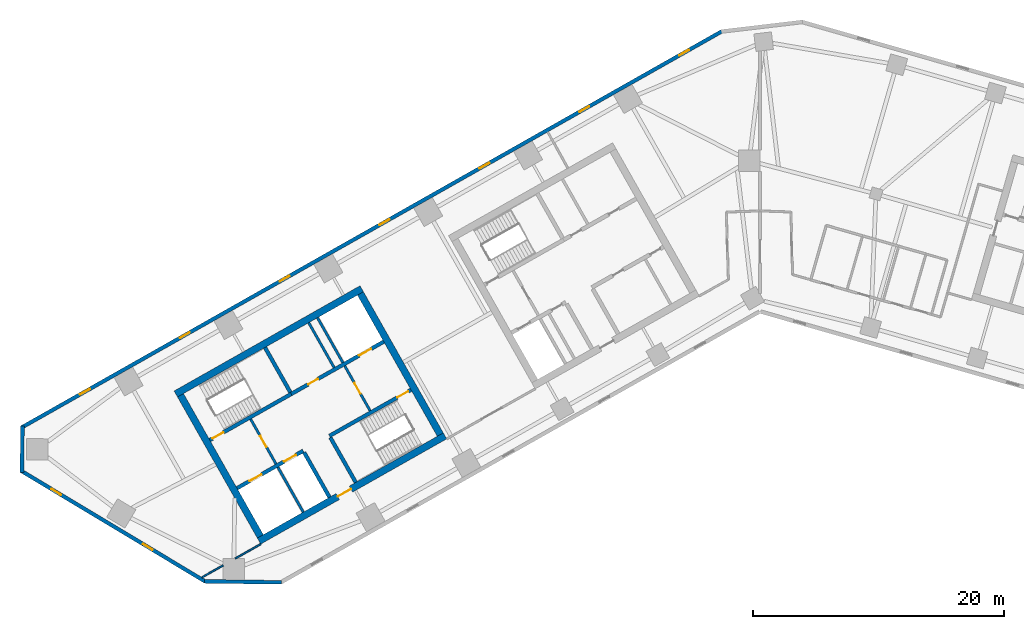
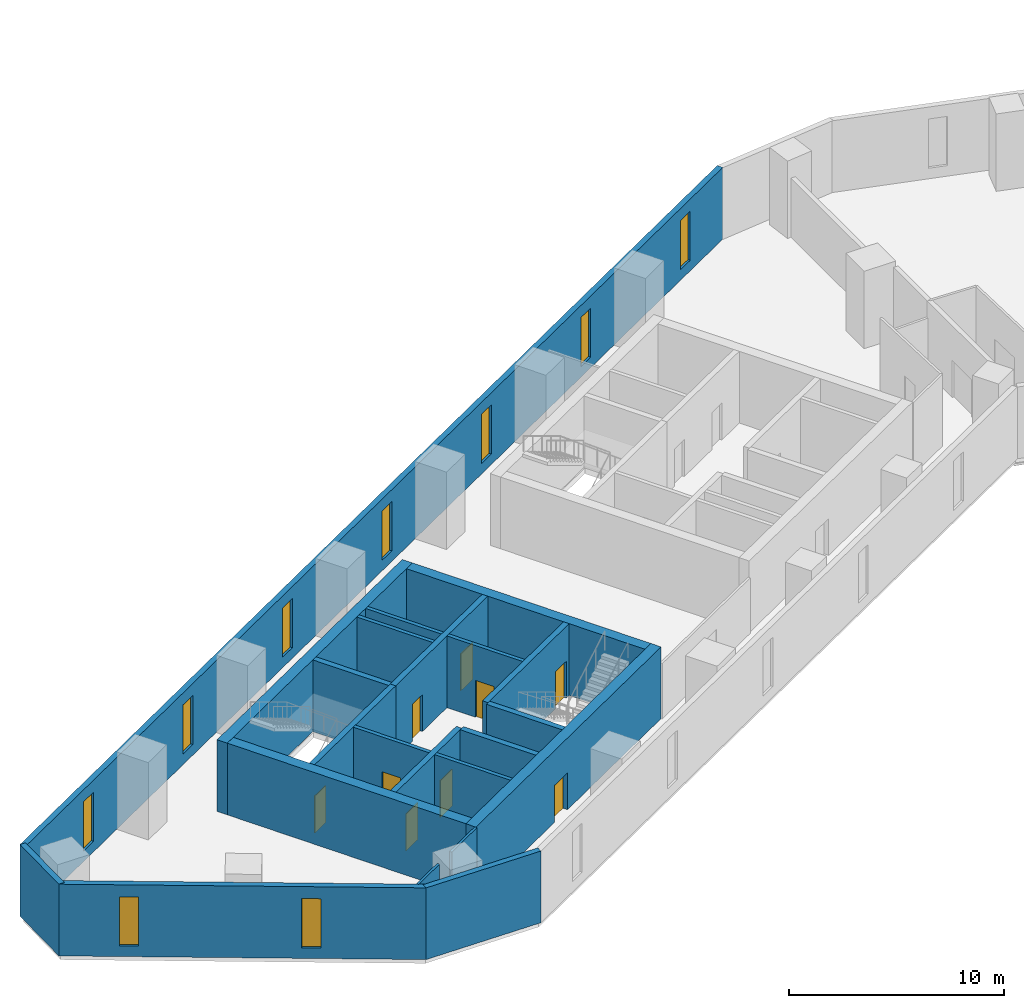
# One storey, part 3 of 10: 22 walls, 9 doors, 9 windows, 18 openings.
"""IFC4 building model written with IfcOpenShell, lengths in metres."""

from ifc_helpers import new_model, si_unit, direction, frame, frame_2d, origin, place, context, subcontext, project, spatial, rectangle, extrude, material, layer, layer_set, type_object, element, fill, save


model = new_model("IFC4")

# Units and contexts
model_context = context("Model", 3, precision=1e-05, world=origin(), true_north=direction((0.0, 1.0)))
body_context = subcontext(model_context, "Body", "Model", "MODEL_VIEW")
ifc_project = project(units=[si_unit("LENGTHUNIT", "METRE"), si_unit("AREAUNIT", "SQUARE_METRE"), si_unit("VOLUMEUNIT", "CUBIC_METRE"), si_unit("PLANEANGLEUNIT", "RADIAN"), si_unit("MASSUNIT", "GRAM", prefix="KILO")], contexts=[model_context])

# Site, building, storey
site_placement = place(None, origin())
site = spatial("IfcSite", under=ifc_project, at=site_placement, CompositionType="ELEMENT")
building_placement = place(site_placement, origin())
building = spatial("IfcBuilding", under=site, at=building_placement, Name="Binnacle Exchange Tower", CompositionType="ELEMENT")
storey_placement = place(building_placement, frame((0.0, 0.0, 127.89990234375)))
storey = spatial("IfcBuildingStorey", under=building, at=storey_placement, Name="L26", CompositionType="ELEMENT", Elevation=127.89990234375)

# Wall, openings, doors
ifc_material_1 = material(Name="Concrete C70/85", Category="concrete")
ifc_layer_1 = layer(ifc_material_1, 0.300048828125)
ifc_layer_set_1 = layer_set([ifc_layer_1], Name="Core wall - front 300")
wall_type_1 = type_object("IfcWallType", Name="Core wall - front 300", PredefinedType="SOLIDWALL", material=ifc_layer_set_1)
wall_1_placement = place(storey_placement, frame((-41.599609375, 33.936279296875, 0.0), z_axis=(0.0, 0.0, 1.0), x_axis=(0.870348557882, 0.492436176365, 0.0)))
wall_1 = element("IfcWall", 1, at=wall_1_placement, inside=storey, type_object=wall_type_1, Name="Core wall CRWA2", PredefinedType="SOLIDWALL", context=body_context, shape_type="SweptSolid", body=[
    extrude(rectangle(XDim=6.050048828125, YDim=0.300048828125, at=frame_2d((3.02490234375, 0.0))), origin(), (0.0, 0.0, 1.0), 4.080078125),
])
opening_1_placement = place(wall_1_placement, frame((1.14990234375, 0.0, 0.0)))
opening_1 = element("IfcOpeningElement", 2, at=opening_1_placement, cuts=wall_1, Name="Opening LD12", PredefinedType="OPENING", context=body_context, shape_type="SweptSolid", body=[
    extrude(rectangle(XDim=1.10009765625, YDim=2.10009765625, at=frame_2d((0.550048828125, 1.050048828125))), frame((0.0, 0.159912109375, 0.0), z_axis=(0.0, -1.0, 0.0), x_axis=(1.0, 0.0, 0.0)), (0.0, 0.0, 1.0), 0.320068359375),
])
opening_2_placement = place(wall_1_placement, frame((4.300048828125, 0.0, 0.0)))
opening_2 = element("IfcOpeningElement", 3, at=opening_2_placement, cuts=wall_1, Name="Opening LD8", PredefinedType="OPENING", context=body_context, shape_type="SweptSolid", body=[
    extrude(rectangle(XDim=1.10009765625, YDim=2.10009765625, at=frame_2d((0.550048828125, 1.050048828125))), frame((0.0, 0.159912109375, 0.0), z_axis=(0.0, -1.0, 0.0), x_axis=(1.0, 0.0, 0.0)), (0.0, 0.0, 1.0), 0.320068359375),
])
ifc_material_2 = material(Name="Steel door leaf", Category="steel")
door_type_1 = type_object("IfcDoorType", Name="Fire door - lift landing 1100", OperationType="NOTDEFINED", PredefinedType="DOOR", material=ifc_material_2)
door_1_placement = place(opening_1_placement, origin())
door_1 = element("IfcDoor", 4, at=door_1_placement, inside=storey, type_object=door_type_1, Name="Landing door LD12 L26", OperationType="DOUBLE_DOOR_SLIDING", OverallHeight=2.10009765625, OverallWidth=1.10009765625, PredefinedType="DOOR", context=body_context, shape_type="SweptSolid", body=[
    extrude(rectangle(XDim=1.10009765625, YDim=2.10009765625, at=frame_2d((0.550048828125, 1.050048828125))), frame((0.0, 0.02490234375, 0.0), z_axis=(0.0, -1.0, 0.0), x_axis=(1.0, 0.0, 0.0)), (0.0, 0.0, 1.0), 0.050048828125),
])
fill(opening_1, door_1)
door_2_placement = place(opening_2_placement, origin())
door_2 = element("IfcDoor", 5, at=door_2_placement, inside=storey, type_object=door_type_1, Name="Landing door LD8 L26", OperationType="DOUBLE_DOOR_SLIDING", OverallHeight=2.10009765625, OverallWidth=1.10009765625, PredefinedType="DOOR", context=body_context, shape_type="SweptSolid", body=[
    extrude(rectangle(XDim=1.10009765625, YDim=2.10009765625, at=frame_2d((0.550048828125, 1.050048828125))), frame((0.0, 0.02490234375, 0.0), z_axis=(0.0, -1.0, 0.0), x_axis=(1.0, 0.0, 0.0)), (0.0, 0.0, 1.0), 0.050048828125),
])
fill(opening_2, door_2)

wall_2_placement = place(storey_placement, frame((-37.281982421875, 41.4345703125, 0.0), z_axis=(0.0, 0.0, 1.0), x_axis=(0.870359895813, 0.492416136779, 0.0)))
wall_2 = element("IfcWall", 6, at=wall_2_placement, inside=storey, type_object=wall_type_1, Name="Core wall CRWA5", PredefinedType="SOLIDWALL", context=body_context, shape_type="SweptSolid", body=[
    extrude(rectangle(XDim=8.449951171875, YDim=0.300048828125, at=frame_2d((4.22509765625, 0.0))), origin(), (0.0, 0.0, 1.0), 4.080078125),
])
opening_3_placement = place(wall_2_placement, frame((6.199951171875, 0.0, 0.0)))
opening_3 = element("IfcOpeningElement", 7, at=opening_3_placement, cuts=wall_2, Name="Opening LD13", PredefinedType="OPENING", context=body_context, shape_type="SweptSolid", body=[
    extrude(rectangle(XDim=1.10009765625, YDim=2.10009765625, at=frame_2d((0.550048828125, 1.050048828125))), frame((0.0, 0.159912109375, 0.0), z_axis=(0.0, -1.0, 0.0), x_axis=(1.0, 0.0, 0.0)), (0.0, 0.0, 1.0), 0.320068359375),
])
opening_4_placement = place(wall_2_placement, frame((1.550048828125, 0.0, 0.0)))
opening_4 = element("IfcOpeningElement", 8, at=opening_4_placement, cuts=wall_2, Name="Opening DA10", PredefinedType="OPENING", context=body_context, shape_type="SweptSolid", body=[
    extrude(rectangle(XDim=0.89990234375, YDim=2.10009765625, at=frame_2d((0.449951171875, 1.050048828125))), frame((0.0, 0.159912109375, 0.0), z_axis=(0.0, -1.0, 0.0), x_axis=(1.0, 0.0, 0.0)), (0.0, 0.0, 1.0), 0.320068359375),
])
door_3_placement = place(opening_3_placement, origin())
door_3 = element("IfcDoor", 9, at=door_3_placement, inside=storey, type_object=door_type_1, Name="Landing door LD13 L26", OperationType="DOUBLE_DOOR_SLIDING", OverallHeight=2.10009765625, OverallWidth=1.10009765625, PredefinedType="DOOR", context=body_context, shape_type="SweptSolid", body=[
    extrude(rectangle(XDim=1.10009765625, YDim=2.10009765625, at=frame_2d((0.550048828125, 1.050048828125))), frame((0.0, 0.02490234375, 0.0), z_axis=(0.0, -1.0, 0.0), x_axis=(1.0, 0.0, 0.0)), (0.0, 0.0, 1.0), 0.050048828125),
])
fill(opening_3, door_3)
door_type_2 = type_object("IfcDoorType", Name="Fire door 900", OperationType="NOTDEFINED", PredefinedType="DOOR", material=ifc_material_2)
door_4_placement = place(opening_4_placement, origin())
door_4 = element("IfcDoor", 10, at=door_4_placement, inside=storey, type_object=door_type_2, Name="Core room door TELECOM RISER ROOM", OperationType="SINGLE_SWING_LEFT", OverallHeight=2.10009765625, OverallWidth=0.89990234375, PredefinedType="DOOR", context=body_context, shape_type="SweptSolid", body=[
    extrude(rectangle(XDim=0.89990234375, YDim=2.10009765625, at=frame_2d((0.449951171875, 1.050048828125))), frame((0.0, 0.02490234375, 0.0), z_axis=(0.0, -1.0, 0.0), x_axis=(1.0, 0.0, 0.0)), (0.0, 0.0, 1.0), 0.050048828125),
])
fill(opening_4, door_4)

# Wall
wall_3_placement = place(storey_placement, frame((-36.260009765625, 36.784912109375, 0.0), z_axis=(0.0, 0.0, 1.0), x_axis=(0.492408451753, -0.87036424366, 0.0)))
element("IfcWall", 11, at=wall_3_placement, inside=storey, type_object=wall_type_1, Name="Core wall CRWA13", PredefinedType="SOLIDWALL", context=body_context, shape_type="SweptSolid", body=[
    extrude(rectangle(XDim=4.099853515625, YDim=0.300048828125, at=frame_2d((2.0498046875, 0.0))), origin(), (0.0, 0.0, 1.0), 4.080078125),
])

# Wall, opening, door
ifc_layer_2 = layer(ifc_material_1, 0.550048828125)
ifc_layer_set_2 = layer_set([ifc_layer_2], Name="Core wall - outer 550")
wall_type_2 = type_object("IfcWallType", Name="Core wall - outer 550", PredefinedType="SOLIDWALL", material=ifc_layer_set_2)
wall_4_placement = place(storey_placement, frame((-39.85009765625, 29.727294921875, 0.0), z_axis=(0.0, 0.0, 1.0), x_axis=(0.870359753402, 0.492416388494, 0.0)))
wall_4 = element("IfcWall", 12, at=wall_4_placement, inside=storey, type_object=wall_type_2, Name="Core wall CRWA1", PredefinedType="SOLIDWALL", context=body_context, shape_type="SweptSolid", body=[
    extrude(rectangle(XDim=17.0, YDim=0.550048828125, at=frame_2d((8.5, 0.0))), origin(), (0.0, 0.0, 1.0), 4.080078125),
])
opening_5_placement = place(wall_4_placement, frame((7.199951171875, 0.0, 0.0)))
opening_5 = element("IfcOpeningElement", 13, at=opening_5_placement, cuts=wall_4, Name="Opening DA7", PredefinedType="OPENING", context=body_context, shape_type="SweptSolid", body=[
    extrude(rectangle(XDim=1.199951171875, YDim=2.10009765625, at=frame_2d((0.60009765625, 1.050048828125))), frame((0.0, 0.284912109375, 0.0), z_axis=(0.0, -1.0, 0.0), x_axis=(1.0, 0.0, 0.0)), (0.0, 0.0, 1.0), 0.570068359375),
])
door_type_3 = type_object("IfcDoorType", Name="Fire door 1200", OperationType="NOTDEFINED", PredefinedType="DOOR", material=ifc_material_2)
door_5_placement = place(opening_5_placement, frame((1.199951171875, 0.0, 0.0), z_axis=(0.0, 0.0, 1.0), x_axis=(-1.0, 0.0, 0.0)))
door_5 = element("IfcDoor", 14, at=door_5_placement, inside=storey, type_object=door_type_3, Name="Lift lobby entrance door core A", OperationType="SINGLE_SWING_RIGHT", OverallHeight=2.10009765625, OverallWidth=1.199951171875, PredefinedType="DOOR", context=body_context, shape_type="SweptSolid", body=[
    extrude(rectangle(XDim=1.199951171875, YDim=2.10009765625, at=frame_2d((0.60009765625, 1.050048828125))), frame((0.0, 0.02490234375, 0.0), z_axis=(0.0, -1.0, 0.0), x_axis=(1.0, 0.0, 0.0)), (0.0, 0.0, 1.0), 0.050048828125),
])
fill(opening_5, door_5)

# Walls
wall_5_placement = place(storey_placement, frame((-46.47314453125, 41.43359375, 0.0), z_axis=(0.0, 0.0, 1.0), x_axis=(0.870359753402, 0.492416388494, 0.0)))
element("IfcWall", 15, at=wall_5_placement, inside=storey, type_object=wall_type_2, Name="Core wall CRWA6", PredefinedType="SOLIDWALL", context=body_context, shape_type="SweptSolid", body=[
    extrude(rectangle(XDim=17.0, YDim=0.550048828125, at=frame_2d((8.5, 0.0))), origin(), (0.0, 0.0, 1.0), 4.080078125),
])
wall_6_placement = place(storey_placement, frame((-46.098388671875, 41.32958984375, 0.0), z_axis=(0.0, 0.0, 1.0), x_axis=(0.492418910884, -0.870358326325, 0.0)))
element("IfcWall", 16, at=wall_6_placement, inside=storey, type_object=wall_type_2, Name="Core wall CRWA7", PredefinedType="SOLIDWALL", context=body_context, shape_type="SweptSolid", body=[
    extrude(rectangle(XDim=12.900146484375, YDim=0.550048828125, at=frame_2d((6.4501953125, 0.0))), origin(), (0.0, 0.0, 1.0), 4.080078125),
])
wall_7_placement = place(storey_placement, frame((-31.781005859375, 49.429931640625, 0.0), z_axis=(0.0, 0.0, 1.0), x_axis=(0.492427022044, -0.870353737259, 0.0)))
element("IfcWall", 17, at=wall_7_placement, inside=storey, type_object=wall_type_2, Name="Core wall CRWA22", PredefinedType="SOLIDWALL", context=body_context, shape_type="SweptSolid", body=[
    extrude(rectangle(XDim=12.89990234375, YDim=0.550048828125, at=frame_2d((6.449951171875, 0.0))), origin(), (0.0, 0.0, 1.0), 4.080078125),
])

# Wall, opening, door
ifc_layer_3 = layer(ifc_material_1, 0.300048828125)
ifc_layer_set_3 = layer_set([ifc_layer_3], Name="Core wall - stair 300")
wall_type_3 = type_object("IfcWallType", Name="Core wall - stair 300", PredefinedType="SOLIDWALL", material=ifc_layer_set_3)
wall_8_placement = place(storey_placement, frame((-34.2451171875, 38.097412109375, 0.0), z_axis=(0.0, 0.0, 1.0), x_axis=(0.870360741098, 0.49241464271, 0.0)))
wall_8 = element("IfcWall", 18, at=wall_8_placement, inside=storey, type_object=wall_type_3, Name="Core wall CRWA3", PredefinedType="SOLIDWALL", context=body_context, shape_type="SweptSolid", body=[
    extrude(rectangle(XDim=7.449951171875, YDim=0.300048828125, at=frame_2d((3.72509765625, 0.0))), origin(), (0.0, 0.0, 1.0), 4.080078125),
])
opening_6_placement = place(wall_8_placement, frame((6.199951171875, 0.0, 0.0)))
opening_6 = element("IfcOpeningElement", 19, at=opening_6_placement, cuts=wall_8, Name="Opening DA2", PredefinedType="OPENING", context=body_context, shape_type="SweptSolid", body=[
    extrude(rectangle(XDim=1.0, YDim=2.10009765625, at=frame_2d((0.5, 1.050048828125))), frame((0.0, 0.159912109375, 0.0), z_axis=(0.0, -1.0, 0.0), x_axis=(1.0, 0.0, 0.0)), (0.0, 0.0, 1.0), 0.320068359375),
])
door_type_4 = type_object("IfcDoorType", Name="Fire door 1000", OperationType="NOTDEFINED", PredefinedType="DOOR", material=ifc_material_2)
door_6_placement = place(opening_6_placement, frame((1.0, 0.0, 0.0), z_axis=(0.0, 0.0, 1.0), x_axis=(-1.0, 0.0, 0.0)))
door_6 = element("IfcDoor", 20, at=door_6_placement, inside=storey, type_object=door_type_4, Name="Stair door ST-A2", OperationType="SINGLE_SWING_LEFT", OverallHeight=2.10009765625, OverallWidth=1.0, PredefinedType="DOOR", context=body_context, shape_type="SweptSolid", body=[
    extrude(rectangle(XDim=1.0, YDim=2.10009765625, at=frame_2d((0.5, 1.050048828125))), frame((0.0, 0.02490234375, 0.0), z_axis=(0.0, -1.0, 0.0), x_axis=(1.0, 0.0, 0.0)), (0.0, 0.0, 1.0), 0.050048828125),
])
fill(opening_6, door_6)

wall_9_placement = place(storey_placement, frame((-43.76611328125, 37.765869140625, 0.0), z_axis=(0.0, 0.0, 1.0), x_axis=(0.870346696097, 0.492439466932, 0.0)))
wall_9 = element("IfcWall", 21, at=wall_9_placement, inside=storey, type_object=wall_type_3, Name="Core wall CRWA4", PredefinedType="SOLIDWALL", context=body_context, shape_type="SweptSolid", body=[
    extrude(rectangle(XDim=7.449951171875, YDim=0.300048828125, at=frame_2d((3.72509765625, 0.0))), origin(), (0.0, 0.0, 1.0), 4.080078125),
])
opening_7_placement = place(wall_9_placement, frame((0.25, 0.0, 0.0)))
opening_7 = element("IfcOpeningElement", 22, at=opening_7_placement, cuts=wall_9, Name="Opening DA1", PredefinedType="OPENING", context=body_context, shape_type="SweptSolid", body=[
    extrude(rectangle(XDim=1.0, YDim=2.10009765625, at=frame_2d((0.5, 1.050048828125))), frame((0.0, 0.159912109375, 0.0), z_axis=(0.0, -1.0, 0.0), x_axis=(1.0, 0.0, 0.0)), (0.0, 0.0, 1.0), 0.320068359375),
])
door_7_placement = place(opening_7_placement, origin())
door_7 = element("IfcDoor", 23, at=door_7_placement, inside=storey, type_object=door_type_4, Name="Stair door ST-A1", OperationType="SINGLE_SWING_LEFT", OverallHeight=2.10009765625, OverallWidth=1.0, PredefinedType="DOOR", context=body_context, shape_type="SweptSolid", body=[
    extrude(rectangle(XDim=1.0, YDim=2.10009765625, at=frame_2d((0.5, 1.050048828125))), frame((0.0, 0.02490234375, 0.0), z_axis=(0.0, -1.0, 0.0), x_axis=(1.0, 0.0, 0.0)), (0.0, 0.0, 1.0), 0.050048828125),
])
fill(opening_7, door_7)

# Walls
for number, where, z_axis, x_axis, name in (
    (24, (-39.375, 45.133544921875, 0.0), (0.0, 0.0, 1.0), (0.492428039142, -0.870353161807, 0.0), "Core wall CRWA14"),
    (25, (-34.171142578125, 37.966796875, 0.0), (0.0, 0.0, 1.0), (0.492382931784, -0.870378681085, 0.0), "Core wall CRWA16"),
):
    element("IfcWall", number, at=place(storey_placement, frame(where, z_axis=z_axis, x_axis=x_axis)), inside=storey, type_object=wall_type_3, Name=name, PredefinedType="SOLIDWALL", context=body_context, shape_type="SweptSolid", body=[
        extrude(rectangle(XDim=4.10009765625, YDim=0.300048828125, at=frame_2d((2.050048828125, 0.0))), origin(), (0.0, 0.0, 1.0), 4.080078125),
    ])

# Wall, openings, windows
ifc_material_3 = material(Name="Bronze aluminium cladding", Category="aluminium")
ifc_layer_4 = layer(ifc_material_3, 0.300048828125)
ifc_layer_set_4 = layer_set([ifc_layer_4], Name="External wall - spandrel 300")
wall_type_4 = type_object("IfcWallType", Name="External wall - spandrel 300", PredefinedType="STANDARD", material=ifc_layer_set_4)
wall_10_placement = place(storey_placement, frame((-58.744873046875, 38.763671875, 0.0), z_axis=(0.0, 0.0, 1.0), x_axis=(0.870355811726, 0.492423355453, 0.0)))
wall_10 = element("IfcWall", 26, at=wall_10_placement, inside=storey, type_object=wall_type_4, Name="External wall EW-F03 L26", PredefinedType="STANDARD", context=body_context, shape_type="SweptSolid", body=[
    extrude(rectangle(XDim=64.025390625, YDim=0.300048828125, at=frame_2d((32.0126953125, 0.0))), origin(), (0.0, 0.0, 1.0), 4.080078125),
])
opening_8_placement = place(wall_10_placement, frame((60.12158203125, 0.0, 0.60009765625)))
opening_8 = element("IfcOpeningElement", 27, at=opening_8_placement, cuts=wall_10, Name="Opening WS2", PredefinedType="OPENING", context=body_context, shape_type="SweptSolid", body=[
    extrude(rectangle(XDim=0.89990234375, YDim=2.800048828125, at=frame_2d((0.449951171875, 1.39990234375))), frame((0.0, 0.159912109375, 0.0), z_axis=(0.0, -1.0, 0.0), x_axis=(1.0, 0.0, 0.0)), (0.0, 0.0, 1.0), 0.320068359375),
])
opening_9_placement = place(wall_10_placement, frame((50.99169921875, 0.0, 0.60009765625)))
opening_9 = element("IfcOpeningElement", 28, at=opening_9_placement, cuts=wall_10, Name="Opening WS2", PredefinedType="OPENING", context=body_context, shape_type="SweptSolid", body=[
    extrude(rectangle(XDim=0.89990234375, YDim=2.800048828125, at=frame_2d((0.449951171875, 1.39990234375))), frame((0.0, 0.159912109375, 0.0), z_axis=(0.0, -1.0, 0.0), x_axis=(1.0, 0.0, 0.0)), (0.0, 0.0, 1.0), 0.320068359375),
])
opening_10_placement = place(wall_10_placement, frame((41.86181640625, 0.0, 0.60009765625)))
opening_10 = element("IfcOpeningElement", 29, at=opening_10_placement, cuts=wall_10, Name="Opening WS2", PredefinedType="OPENING", context=body_context, shape_type="SweptSolid", body=[
    extrude(rectangle(XDim=0.89990234375, YDim=2.800048828125, at=frame_2d((0.449951171875, 1.39990234375))), frame((0.0, 0.159912109375, 0.0), z_axis=(0.0, -1.0, 0.0), x_axis=(1.0, 0.0, 0.0)), (0.0, 0.0, 1.0), 0.320068359375),
])
opening_11_placement = place(wall_10_placement, frame((32.73193359375, 0.0, 0.60009765625)))
opening_11 = element("IfcOpeningElement", 30, at=opening_11_placement, cuts=wall_10, Name="Opening WS2", PredefinedType="OPENING", context=body_context, shape_type="SweptSolid", body=[
    extrude(rectangle(XDim=0.89990234375, YDim=2.800048828125, at=frame_2d((0.449951171875, 1.39990234375))), frame((0.0, 0.159912109375, 0.0), z_axis=(0.0, -1.0, 0.0), x_axis=(1.0, 0.0, 0.0)), (0.0, 0.0, 1.0), 0.320068359375),
])
opening_12_placement = place(wall_10_placement, frame((23.60205078125, 0.0, 0.60009765625)))
opening_12 = element("IfcOpeningElement", 31, at=opening_12_placement, cuts=wall_10, Name="Opening WS2", PredefinedType="OPENING", context=body_context, shape_type="SweptSolid", body=[
    extrude(rectangle(XDim=0.89990234375, YDim=2.800048828125, at=frame_2d((0.449951171875, 1.39990234375))), frame((0.0, 0.159912109375, 0.0), z_axis=(0.0, -1.0, 0.0), x_axis=(1.0, 0.0, 0.0)), (0.0, 0.0, 1.0), 0.320068359375),
])
opening_13_placement = place(wall_10_placement, frame((14.47216796875, 0.0, 0.60009765625)))
opening_13 = element("IfcOpeningElement", 32, at=opening_13_placement, cuts=wall_10, Name="Opening WS2", PredefinedType="OPENING", context=body_context, shape_type="SweptSolid", body=[
    extrude(rectangle(XDim=0.89990234375, YDim=2.800048828125, at=frame_2d((0.449951171875, 1.39990234375))), frame((0.0, 0.159912109375, 0.0), z_axis=(0.0, -1.0, 0.0), x_axis=(1.0, 0.0, 0.0)), (0.0, 0.0, 1.0), 0.320068359375),
])
opening_14_placement = place(wall_10_placement, frame((5.34228515625, 0.0, 0.60009765625)))
opening_14 = element("IfcOpeningElement", 33, at=opening_14_placement, cuts=wall_10, Name="Opening WS2", PredefinedType="OPENING", context=body_context, shape_type="SweptSolid", body=[
    extrude(rectangle(XDim=0.89990234375, YDim=2.800048828125, at=frame_2d((0.449951171875, 1.39990234375))), frame((0.0, 0.159912109375, 0.0), z_axis=(0.0, -1.0, 0.0), x_axis=(1.0, 0.0, 0.0)), (0.0, 0.0, 1.0), 0.320068359375),
])
ifc_material_4 = material(Name="Bronze anodised aluminium frame", Category="aluminium")
window_type = type_object("IfcWindowType", Name="WS2 WINDOW 900x2800", PartitioningType="SINGLE_PANEL", PredefinedType="WINDOW", material=ifc_material_4)
window_1_placement = place(opening_8_placement, origin())
window_1 = element("IfcWindow", 34, at=window_1_placement, inside=storey, type_object=window_type, Name="Window WS2 L26", OverallHeight=2.800048828125, OverallWidth=0.89990234375, PartitioningType="SINGLE_PANEL", PredefinedType="WINDOW", context=body_context, shape_type="SweptSolid", body=[
    extrude(rectangle(XDim=0.89990234375, YDim=2.800048828125, at=frame_2d((0.449951171875, 1.39990234375))), frame((0.0, 0.030029296875, 0.0), z_axis=(0.0, -1.0, 0.0), x_axis=(1.0, 0.0, 0.0)), (0.0, 0.0, 1.0), 0.06005859375),
])
fill(opening_8, window_1)
window_2_placement = place(opening_9_placement, origin())
window_2 = element("IfcWindow", 35, at=window_2_placement, inside=storey, type_object=window_type, Name="Window WS2 L26", OverallHeight=2.800048828125, OverallWidth=0.89990234375, PartitioningType="SINGLE_PANEL", PredefinedType="WINDOW", context=body_context, shape_type="SweptSolid", body=[
    extrude(rectangle(XDim=0.89990234375, YDim=2.800048828125, at=frame_2d((0.449951171875, 1.39990234375))), frame((0.0, 0.030029296875, 0.0), z_axis=(0.0, -1.0, 0.0), x_axis=(1.0, 0.0, 0.0)), (0.0, 0.0, 1.0), 0.06005859375),
])
fill(opening_9, window_2)
window_3_placement = place(opening_10_placement, origin())
window_3 = element("IfcWindow", 36, at=window_3_placement, inside=storey, type_object=window_type, Name="Window WS2 L26", OverallHeight=2.800048828125, OverallWidth=0.89990234375, PartitioningType="SINGLE_PANEL", PredefinedType="WINDOW", context=body_context, shape_type="SweptSolid", body=[
    extrude(rectangle(XDim=0.89990234375, YDim=2.800048828125, at=frame_2d((0.449951171875, 1.39990234375))), frame((0.0, 0.030029296875, 0.0), z_axis=(0.0, -1.0, 0.0), x_axis=(1.0, 0.0, 0.0)), (0.0, 0.0, 1.0), 0.06005859375),
])
fill(opening_10, window_3)
window_4_placement = place(opening_11_placement, origin())
window_4 = element("IfcWindow", 37, at=window_4_placement, inside=storey, type_object=window_type, Name="Window WS2 L26", OverallHeight=2.800048828125, OverallWidth=0.89990234375, PartitioningType="SINGLE_PANEL", PredefinedType="WINDOW", context=body_context, shape_type="SweptSolid", body=[
    extrude(rectangle(XDim=0.89990234375, YDim=2.800048828125, at=frame_2d((0.449951171875, 1.39990234375))), frame((0.0, 0.030029296875, 0.0), z_axis=(0.0, -1.0, 0.0), x_axis=(1.0, 0.0, 0.0)), (0.0, 0.0, 1.0), 0.06005859375),
])
fill(opening_11, window_4)
window_5_placement = place(opening_12_placement, origin())
window_5 = element("IfcWindow", 38, at=window_5_placement, inside=storey, type_object=window_type, Name="Window WS2 L26", OverallHeight=2.800048828125, OverallWidth=0.89990234375, PartitioningType="SINGLE_PANEL", PredefinedType="WINDOW", context=body_context, shape_type="SweptSolid", body=[
    extrude(rectangle(XDim=0.89990234375, YDim=2.800048828125, at=frame_2d((0.449951171875, 1.39990234375))), frame((0.0, 0.030029296875, 0.0), z_axis=(0.0, -1.0, 0.0), x_axis=(1.0, 0.0, 0.0)), (0.0, 0.0, 1.0), 0.06005859375),
])
fill(opening_12, window_5)
window_6_placement = place(opening_13_placement, origin())
window_6 = element("IfcWindow", 39, at=window_6_placement, inside=storey, type_object=window_type, Name="Window WS2 L26", OverallHeight=2.800048828125, OverallWidth=0.89990234375, PartitioningType="SINGLE_PANEL", PredefinedType="WINDOW", context=body_context, shape_type="SweptSolid", body=[
    extrude(rectangle(XDim=0.89990234375, YDim=2.800048828125, at=frame_2d((0.449951171875, 1.39990234375))), frame((0.0, 0.030029296875, 0.0), z_axis=(0.0, -1.0, 0.0), x_axis=(1.0, 0.0, 0.0)), (0.0, 0.0, 1.0), 0.06005859375),
])
fill(opening_13, window_6)
window_7_placement = place(opening_14_placement, origin())
window_7 = element("IfcWindow", 40, at=window_7_placement, inside=storey, type_object=window_type, Name="Window WS2 L26", OverallHeight=2.800048828125, OverallWidth=0.89990234375, PartitioningType="SINGLE_PANEL", PredefinedType="WINDOW", context=body_context, shape_type="SweptSolid", body=[
    extrude(rectangle(XDim=0.89990234375, YDim=2.800048828125, at=frame_2d((0.449951171875, 1.39990234375))), frame((0.0, 0.030029296875, 0.0), z_axis=(0.0, -1.0, 0.0), x_axis=(1.0, 0.0, 0.0)), (0.0, 0.0, 1.0), 0.06005859375),
])
fill(opening_14, window_7)

# Wall
wall_11_placement = place(storey_placement, frame((-58.717041015625, 35.19384765625, 0.0), z_axis=(0.0, 0.0, 1.0), x_axis=(0.013069053407, 0.999914596275, 0.0)))
element("IfcWall", 41, at=wall_11_placement, inside=storey, type_object=wall_type_4, Name="External wall EW-F04 L26", PredefinedType="STANDARD", context=body_context, shape_type="SweptSolid", body=[
    extrude(rectangle(XDim=3.69873046875, YDim=0.300048828125, at=frame_2d((1.849365234375, 0.0))), origin(), (0.0, 0.0, 1.0), 4.080078125),
])

# Wall, openings, windows
wall_12_placement = place(storey_placement, frame((-44.109375, 26.503662109375, 0.0), z_axis=(0.0, 0.0, 1.0), x_axis=(-0.857169502585, 0.515034410344, 0.0)))
wall_12 = element("IfcWall", 42, at=wall_12_placement, inside=storey, type_object=wall_type_4, Name="External wall EW-F05 L26", PredefinedType="STANDARD", context=body_context, shape_type="SweptSolid", body=[
    extrude(rectangle(XDim=17.126708984375, YDim=0.300048828125, at=frame_2d((8.5634765625, 0.0))), origin(), (0.0, 0.0, 1.0), 4.080078125),
])
opening_15_placement = place(wall_12_placement, frame((13.403076171875, 0.0, 0.60009765625)))
opening_15 = element("IfcOpeningElement", 43, at=opening_15_placement, cuts=wall_12, Name="Opening WS2", PredefinedType="OPENING", context=body_context, shape_type="SweptSolid", body=[
    extrude(rectangle(XDim=0.89990234375, YDim=2.800048828125, at=frame_2d((0.449951171875, 1.39990234375))), frame((0.0, 0.159912109375, 0.0), z_axis=(0.0, -1.0, 0.0), x_axis=(1.0, 0.0, 0.0)), (0.0, 0.0, 1.0), 0.320068359375),
])
opening_16_placement = place(wall_12_placement, frame((4.903076171875, 0.0, 0.60009765625)))
opening_16 = element("IfcOpeningElement", 44, at=opening_16_placement, cuts=wall_12, Name="Opening WS2", PredefinedType="OPENING", context=body_context, shape_type="SweptSolid", body=[
    extrude(rectangle(XDim=0.89990234375, YDim=2.800048828125, at=frame_2d((0.449951171875, 1.39990234375))), frame((0.0, 0.159912109375, 0.0), z_axis=(0.0, -1.0, 0.0), x_axis=(1.0, 0.0, 0.0)), (0.0, 0.0, 1.0), 0.320068359375),
])
window_8_placement = place(opening_15_placement, origin())
window_8 = element("IfcWindow", 45, at=window_8_placement, inside=storey, type_object=window_type, Name="Window WS2 L26", OverallHeight=2.800048828125, OverallWidth=0.89990234375, PartitioningType="SINGLE_PANEL", PredefinedType="WINDOW", context=body_context, shape_type="SweptSolid", body=[
    extrude(rectangle(XDim=0.89990234375, YDim=2.800048828125, at=frame_2d((0.449951171875, 1.39990234375))), frame((0.0, 0.030029296875, 0.0), z_axis=(0.0, -1.0, 0.0), x_axis=(1.0, 0.0, 0.0)), (0.0, 0.0, 1.0), 0.06005859375),
])
fill(opening_15, window_8)
window_9_placement = place(opening_16_placement, origin())
window_9 = element("IfcWindow", 46, at=window_9_placement, inside=storey, type_object=window_type, Name="Window WS2 L26", OverallHeight=2.800048828125, OverallWidth=0.89990234375, PartitioningType="SINGLE_PANEL", PredefinedType="WINDOW", context=body_context, shape_type="SweptSolid", body=[
    extrude(rectangle(XDim=0.89990234375, YDim=2.800048828125, at=frame_2d((0.449951171875, 1.39990234375))), frame((0.0, 0.030029296875, 0.0), z_axis=(0.0, -1.0, 0.0), x_axis=(1.0, 0.0, 0.0)), (0.0, 0.0, 1.0), 0.06005859375),
])
fill(opening_16, window_9)

# Wall
wall_13_placement = place(storey_placement, frame((-38.057373046875, 26.44482421875, 0.0), z_axis=(0.0, 0.0, 1.0), x_axis=(-0.999914086342, 0.013108010296, 0.0)))
element("IfcWall", 47, at=wall_13_placement, inside=storey, type_object=wall_type_4, Name="External wall EW-F06 L26", PredefinedType="STANDARD", context=body_context, shape_type="SweptSolid", body=[
    extrude(rectangle(XDim=6.127685546875, YDim=0.300048828125, at=frame_2d((3.06396484375, 0.0))), origin(), (0.0, 0.0, 1.0), 4.080078125),
])

# Wall, opening, door
ifc_material_5 = material(Name="Masonry block wall", Category="masonry")
ifc_layer_5 = layer(ifc_material_5, 0.199951171875)
ifc_layer_set_5 = layer_set([ifc_layer_5], Name="Fire wall - vestibule 200")
wall_type_5 = type_object("IfcWallType", Name="Fire wall - vestibule 200", PredefinedType="PARTITIONING", material=ifc_layer_set_5)
wall_14_placement = place(storey_placement, frame((-40.515625, 39.4326171875, 0.0), z_axis=(0.0, 0.0, 1.0), x_axis=(0.492453559952, -0.87033872216, 0.0)))
wall_14 = element("IfcWall", 48, at=wall_14_placement, inside=storey, type_object=wall_type_5, Name="Core wall CRWA10", PredefinedType="PARTITIONING", context=body_context, shape_type="SweptSolid", body=[
    extrude(rectangle(XDim=4.099853515625, YDim=0.199951171875, at=frame_2d((2.0498046875, 0.0))), origin(), (0.0, 0.0, 1.0), 4.080078125),
])
opening_17_placement = place(wall_14_placement, frame((1.550048828125, 0.0, 0.0)))
opening_17 = element("IfcOpeningElement", 49, at=opening_17_placement, cuts=wall_14, Name="Opening DA3", PredefinedType="OPENING", context=body_context, shape_type="SweptSolid", body=[
    extrude(rectangle(XDim=1.0, YDim=2.10009765625, at=frame_2d((0.5, 1.050048828125))), frame((0.0, 0.10986328125, 0.0), z_axis=(0.0, -1.0, 0.0), x_axis=(1.0, 0.0, 0.0)), (0.0, 0.0, 1.0), 0.219970703125),
])
door_8_placement = place(opening_17_placement, frame((1.0, 0.0, 0.0), z_axis=(0.0, 0.0, 1.0), x_axis=(-1.0, 0.0, 0.0)))
door_8 = element("IfcDoor", 50, at=door_8_placement, inside=storey, type_object=door_type_4, Name="Vestibule door VEST-W", OperationType="SINGLE_SWING_LEFT", OverallHeight=2.10009765625, OverallWidth=1.0, PredefinedType="DOOR", context=body_context, shape_type="SweptSolid", body=[
    extrude(rectangle(XDim=1.0, YDim=2.10009765625, at=frame_2d((0.5, 1.050048828125))), frame((0.0, 0.02490234375, 0.0), z_axis=(0.0, -1.0, 0.0), x_axis=(1.0, 0.0, 0.0)), (0.0, 0.0, 1.0), 0.050048828125),
])
fill(opening_17, door_8)

wall_15_placement = place(storey_placement, frame((-33.030517578125, 43.66748046875, 0.0), z_axis=(0.0, 0.0, 1.0), x_axis=(0.492408451753, -0.87036424366, 0.0)))
wall_15 = element("IfcWall", 51, at=wall_15_placement, inside=storey, type_object=wall_type_5, Name="Core wall CRWA19", PredefinedType="PARTITIONING", context=body_context, shape_type="SweptSolid", body=[
    extrude(rectangle(XDim=4.099853515625, YDim=0.199951171875, at=frame_2d((2.0498046875, 0.0))), origin(), (0.0, 0.0, 1.0), 4.080078125),
])
opening_18_placement = place(wall_15_placement, frame((1.550048828125, 0.0, 0.0)))
opening_18 = element("IfcOpeningElement", 52, at=opening_18_placement, cuts=wall_15, Name="Opening DA4", PredefinedType="OPENING", context=body_context, shape_type="SweptSolid", body=[
    extrude(rectangle(XDim=1.0, YDim=2.10009765625, at=frame_2d((0.5, 1.050048828125))), frame((0.0, 0.10986328125, 0.0), z_axis=(0.0, -1.0, 0.0), x_axis=(1.0, 0.0, 0.0)), (0.0, 0.0, 1.0), 0.219970703125),
])
door_9_placement = place(opening_18_placement, origin())
door_9 = element("IfcDoor", 53, at=door_9_placement, inside=storey, type_object=door_type_4, Name="Vestibule door VEST-E", OperationType="SINGLE_SWING_RIGHT", OverallHeight=2.10009765625, OverallWidth=1.0, PredefinedType="DOOR", context=body_context, shape_type="SweptSolid", body=[
    extrude(rectangle(XDim=1.0, YDim=2.10009765625, at=frame_2d((0.5, 1.050048828125))), frame((0.0, 0.02490234375, 0.0), z_axis=(0.0, -1.0, 0.0), x_axis=(1.0, 0.0, 0.0)), (0.0, 0.0, 1.0), 0.050048828125),
])
fill(opening_18, door_9)

# Walls
ifc_material_6 = material(Name="Gypsum partition")
ifc_layer_6 = layer(ifc_material_6, 0.125)
ifc_layer_set_6 = layer_set([ifc_layer_6], Name="Partition 125")
wall_type_6 = type_object("IfcWallType", Name="Partition 125", PredefinedType="PARTITIONING", material=ifc_layer_set_6)
wall_16_placement = place(storey_placement, frame((-44.385986328125, 26.844970703125, 0.0), z_axis=(0.0, 0.0, 1.0), x_axis=(0.870226201187, 0.492652371118, 0.0)))
element("IfcWall", 54, at=wall_16_placement, inside=storey, type_object=wall_type_6, Name="Partition W01", PredefinedType="PARTITIONING", context=body_context, shape_type="SweptSolid", body=[
    extrude(rectangle(XDim=1.9326171875, YDim=0.125, at=frame_2d((0.96630859375, 0.0))), origin(), (0.0, 0.0, 1.0), 4.080078125),
])
wall_17_placement = place(storey_placement, frame((-41.738037109375, 28.343017578125, 0.0), z_axis=(0.0, 0.0, 1.0), x_axis=(0.870265350095, 0.492583211676, 0.0)))
element("IfcWall", 55, at=wall_17_placement, inside=storey, type_object=wall_type_6, Name="Partition W02", PredefinedType="PARTITIONING", context=body_context, shape_type="SweptSolid", body=[
    extrude(rectangle(XDim=2.324462890625, YDim=0.125, at=frame_2d((1.162109375, 0.0))), origin(), (0.0, 0.0, 1.0), 4.080078125),
])
ifc_layer_7 = layer(ifc_material_5, 0.199951171875)
ifc_layer_set_7 = layer_set([ifc_layer_7], Name="Riser wall 200")
wall_type_7 = type_object("IfcWallType", Name="Riser wall 200", PredefinedType="SOLIDWALL", material=ifc_layer_set_7)
wall_18_placement = place(storey_placement, frame((-35.8935546875, 47.103271484375, 0.0), z_axis=(0.0, 0.0, 1.0), x_axis=(0.492428039142, -0.870353161807, 0.0)))
element("IfcWall", 56, at=wall_18_placement, inside=storey, type_object=wall_type_7, Name="Core wall CRWA18", PredefinedType="SOLIDWALL", context=body_context, shape_type="SweptSolid", body=[
    extrude(rectangle(XDim=4.10009765625, YDim=0.199951171875, at=frame_2d((2.050048828125, 0.0))), origin(), (0.0, 0.0, 1.0), 4.080078125),
])
wall_19_placement = place(storey_placement, frame((-35.197265625, 47.4970703125, 0.0), z_axis=(0.0, 0.0, 1.0), x_axis=(0.492453559952, -0.87033872216, 0.0)))
element("IfcWall", 57, at=wall_19_placement, inside=storey, type_object=wall_type_7, Name="Core wall CRWA20", PredefinedType="SOLIDWALL", context=body_context, shape_type="SweptSolid", body=[
    extrude(rectangle(XDim=4.099853515625, YDim=0.199951171875, at=frame_2d((2.0498046875, 0.0))), origin(), (0.0, 0.0, 1.0), 4.080078125),
])
ifc_layer_8 = layer(ifc_material_5, 0.199951171875)
ifc_layer_set_8 = layer_set([ifc_layer_8], Name="Shaft wall 200")
wall_type_8 = type_object("IfcWallType", Name="Shaft wall 200", PredefinedType="SOLIDWALL", material=ifc_layer_set_8)
wall_20_placement = place(storey_placement, frame((-38.348876953125, 35.603271484375, 0.0), z_axis=(0.0, 0.0, 1.0), x_axis=(0.492382931784, -0.870378681085, 0.0)))
element("IfcWall", 58, at=wall_20_placement, inside=storey, type_object=wall_type_8, Name="Core wall CRWA9", PredefinedType="SOLIDWALL", context=body_context, shape_type="SweptSolid", body=[
    extrude(rectangle(XDim=4.10009765625, YDim=0.199951171875, at=frame_2d((2.050048828125, 0.0))), origin(), (0.0, 0.0, 1.0), 4.080078125),
])

save(model, "model.ifc")
